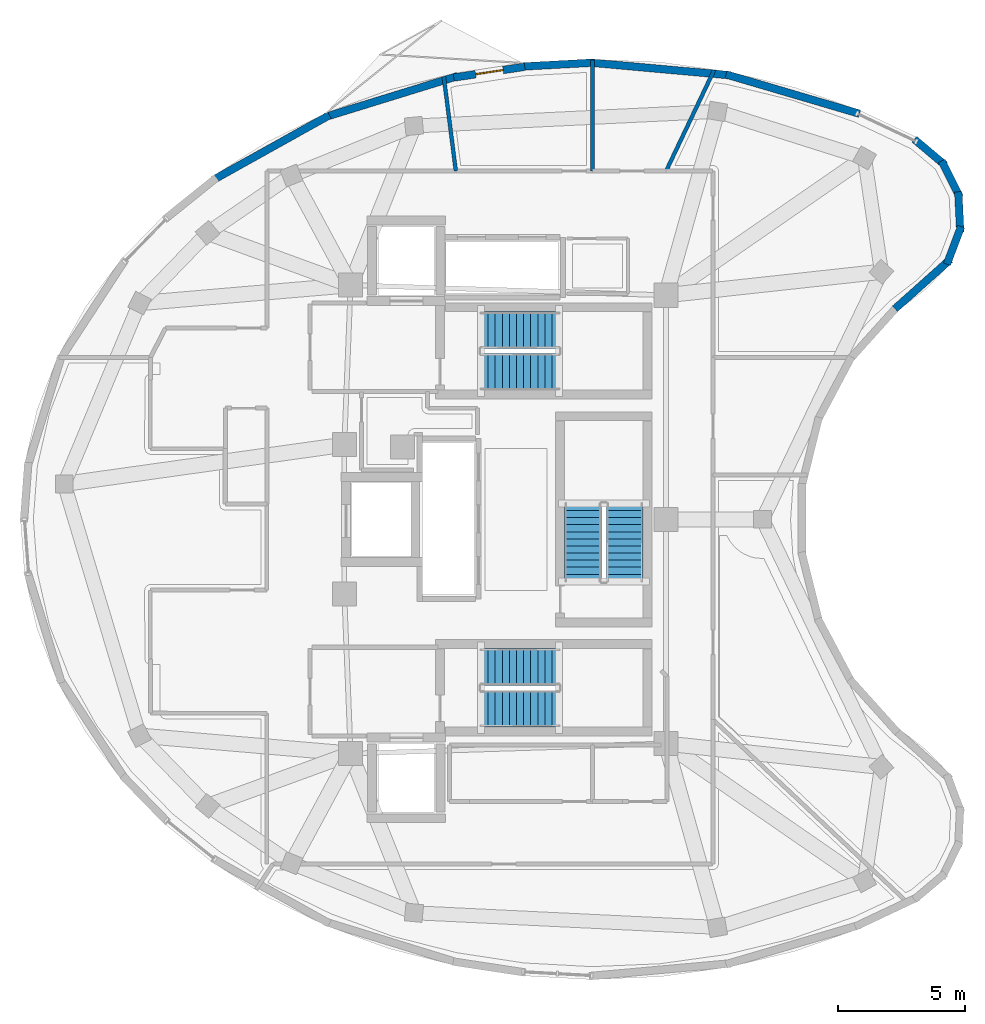
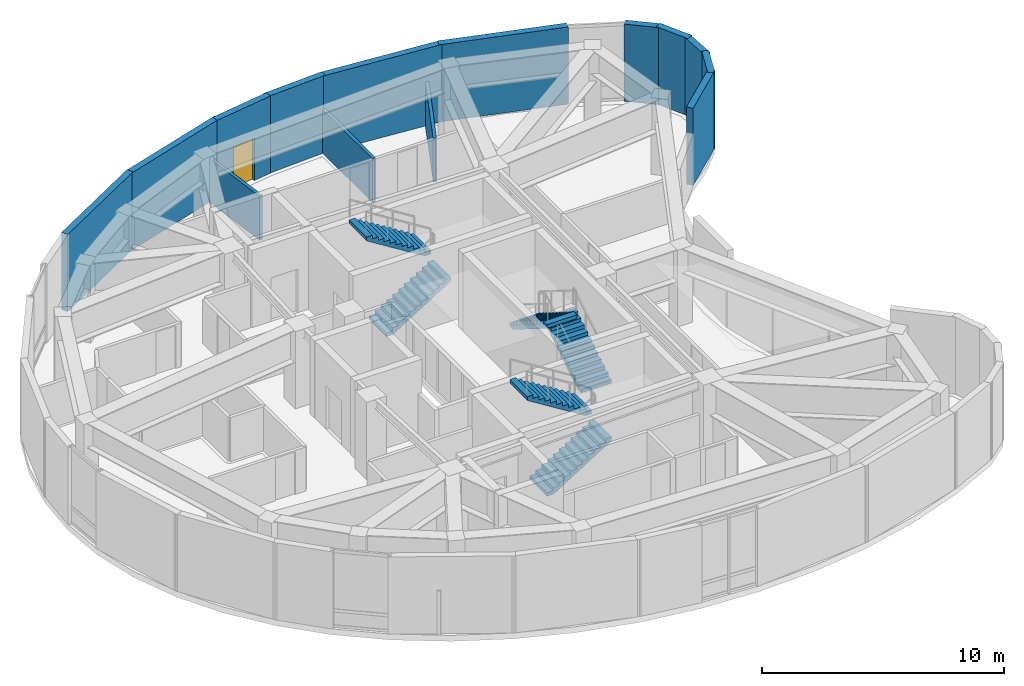
# One storey, part 6 of 8: 14 walls, 6 stair flights, 1 door, 1 opening, 3 elements without a shape of their own.
"""IFC4 building model written with IfcOpenShell, lengths in metres."""

import ifcopenshell
import ifcopenshell.guid

model = None  # the IFC model being written
_history = None  # IfcOwnerHistory: only IFC2X3 demands one
_inside = {}  # id of a spatial element -> (the spatial element, [elements in it])
_under = {}  # id of a project, library or spatial element -> (it, [spatial elements below it])
_declared = {}  # id of a project -> (the project, [libraries it declares])
_typed = {}  # id of a type object -> (the type object, [elements of that type])
_made_of = {}  # id of a material, layer set ... -> (it, [elements and type objects made of it])


def new_model(schema):
    """Start an empty IFC model of exactly this schema.

    Asked for "IFC4X3", IfcOpenShell would pick the latest addendum, in which some entities
    have other attributes; the version numbers below select the first issue.
    IFC2X3 requires an IfcOwnerHistory on every rooted entity: one is made here for all.
    """
    global model, _history
    if schema == "IFC4X3":
        model = ifcopenshell.file(schema_version=(4, 3, 0, 0))
    else:
        model = ifcopenshell.file(schema=schema)
    _inside.clear()
    _under.clear()
    _declared.clear()
    _typed.clear()
    _made_of.clear()
    _history = None
    if model.schema == "IFC2X3":
        org = make("IfcOrganization", Name="unknown")
        user = make(
            "IfcPersonAndOrganization",
            ThePerson=make("IfcPerson", FamilyName="unknown"),
            TheOrganization=org,
        )
        app = make(
            "IfcApplication",
            ApplicationDeveloper=org,
            Version="unknown",
            ApplicationFullName="unknown",
            ApplicationIdentifier="unknown",
        )
        _history = make(
            "IfcOwnerHistory",
            OwningUser=user,
            OwningApplication=app,
            ChangeAction="ADDED",
            CreationDate=0,
        )
    return model


def make(cls, **values):
    """One entity of the class cls with the attributes given. An attribute that is None is left unset."""
    return model.create_entity(
        cls, **{name: value for name, value in values.items() if value is not None}
    )


def rooted(cls, **values):
    """An entity with a GlobalId (a new one), such as an element, a storey or a relation."""
    return make(cls, GlobalId=ifcopenshell.guid.new(), OwnerHistory=_history, **values)


def si_unit(unit_type, name, prefix=None):
    """IfcSIUnit, for example si_unit("LENGTHUNIT", "METRE", prefix="MILLI")."""
    return make("IfcSIUnit", UnitType=unit_type, Prefix=prefix, Name=name)


def assignment(units):
    """IfcUnitAssignment: the units of a project."""
    return None if units is None else make("IfcUnitAssignment", Units=units)


def point(xyz):
    """IfcCartesianPoint."""
    return None if xyz is None else make("IfcCartesianPoint", Coordinates=xyz)


def direction(xyz):
    """IfcDirection."""
    return None if xyz is None else make("IfcDirection", DirectionRatios=xyz)


def frame(location, z_axis=None, x_axis=None):
    """IfcAxis2Placement3D, a coordinate frame: its origin and axes. An axis left out is left unset."""
    return make(
        "IfcAxis2Placement3D",
        Location=point(location),
        Axis=direction(z_axis),
        RefDirection=direction(x_axis),
    )


def frame_2d(location, x_axis=None):
    """IfcAxis2Placement2D, a coordinate frame in the plane: its origin and x axis."""
    return make(
        "IfcAxis2Placement2D", Location=point(location), RefDirection=direction(x_axis)
    )


def origin():
    """The frame at (0, 0, 0) with its axes left unset."""
    return frame((0.0, 0.0, 0.0))


def place(relative_to, where):
    """IfcLocalPlacement: puts the frame where relative to a parent placement (None: the world)."""
    return make(
        "IfcLocalPlacement", PlacementRelTo=relative_to, RelativePlacement=where
    )


def context(
    kind, dimensions, precision=None, world=None, true_north=None, identifier=None
):
    """IfcGeometricRepresentationContext, for example the 3D "Model" context."""
    return make(
        "IfcGeometricRepresentationContext",
        ContextIdentifier=identifier,
        ContextType=kind,
        CoordinateSpaceDimension=dimensions,
        Precision=precision,
        WorldCoordinateSystem=world,
        TrueNorth=true_north,
    )


def subcontext(parent, identifier, kind, view, scale=None):
    """IfcGeometricRepresentationSubContext, for example "Body" below "Model"."""
    return make(
        "IfcGeometricRepresentationSubContext",
        ContextIdentifier=identifier,
        ContextType=kind,
        ParentContext=parent,
        TargetScale=scale,
        TargetView=view,
    )


def project(units=None, contexts=None):
    """IfcProject with its units and contexts."""
    return rooted(
        "IfcProject",
        Name="project",
        RepresentationContexts=contexts,
        UnitsInContext=assignment(units),
    )


def spatial(cls, under=None, at=None, **own):
    """A site, building, storey or space (cls), placed at a placement, below another one or the project."""
    s = rooted(cls, ObjectPlacement=at, **own)
    if under is not None:
        _under.setdefault(under.id(), (under, []))[1].append(s)
    return s


def polyline(points):
    """IfcPolyline through the points."""
    return make("IfcPolyline", Points=[point(p) for p in points])


def profile(cls, at=None, kind="AREA", **sizes):
    """A parametric profile (cls). Its sizes go by their IFC names, for example OverallWidth=200.0."""
    return make(cls, ProfileType=kind, Position=at, **sizes)


def rectangle(**sizes):
    """IfcRectangleProfileDef."""
    return profile("IfcRectangleProfileDef", **sizes)


def outline(outer, holes=None, kind="AREA"):
    """IfcArbitraryClosedProfileDef: a profile drawn as a closed curve; with holes, ...WithVoids."""
    if holes is None:
        return make("IfcArbitraryClosedProfileDef", ProfileType=kind, OuterCurve=outer)
    return make(
        "IfcArbitraryProfileDefWithVoids",
        ProfileType=kind,
        OuterCurve=outer,
        InnerCurves=holes,
    )


def extrude(swept, where, along, depth):
    """IfcExtrudedAreaSolid: the profile swept, set in the frame where, extruded along a direction by depth."""
    return make(
        "IfcExtrudedAreaSolid",
        SweptArea=swept,
        Position=where,
        ExtrudedDirection=direction(along),
        Depth=depth,
    )


def shape(context_of_items, identifier, shape_type, items):
    """IfcShapeRepresentation: the items that make up one representation, for example the "Body"."""
    return make(
        "IfcShapeRepresentation",
        ContextOfItems=context_of_items,
        RepresentationIdentifier=identifier,
        RepresentationType=shape_type,
        Items=items,
    )


def material(Name=None, Category=None):
    """IfcMaterial."""
    return make("IfcMaterial", Name=Name, Category=Category)


def layer(
    of_material, thickness, ventilated=None, Name=None, Category=None, Priority=None
):
    """IfcMaterialLayer: one layer of a wall or slab, of a material (None: an air gap)."""
    return make(
        "IfcMaterialLayer",
        Material=of_material,
        LayerThickness=thickness,
        IsVentilated=ventilated,
        Name=Name,
        Category=Category,
        Priority=Priority,
    )


def layer_set(layers, Name=None):
    """IfcMaterialLayerSet."""
    return make("IfcMaterialLayerSet", MaterialLayers=layers, LayerSetName=Name)


def made_of(thing, what):
    """Note that an element or type object is made of a material, layer set ...; save() writes the relation."""
    if what is not None:
        _made_of.setdefault(what.id(), (what, []))[1].append(thing)
    return thing


def type_object(cls, material=None, **own):
    """A type object (cls), such as IfcWallType, which elements share."""
    return made_of(rooted(cls, **own), material)


def element(
    cls,
    number,
    at=None,
    inside=None,
    cuts=None,
    type_object=None,
    material=None,
    context=None,
    identifier="Body",
    shape_type=None,
    held_by="IfcProductDefinitionShape",
    body=None,
    shapes=None,
    **own,
):
    """One element of the class cls, such as IfcWall. Its Tag is "e" and its number.

    at: its placement. inside: the storey or other place that contains it. cuts: it is an
    opening in that element (IfcRelVoidsElement). A single representation is given by context,
    identifier, shape_type and body (its items); several are given by shapes. held_by: the class
    of the entity that holds the representations. save() writes the other relations.
    """
    e = rooted(cls, Tag="e%d" % number, ObjectPlacement=at, **own)
    if body is not None:
        shapes = [shape(context, identifier, shape_type, body)]
    if shapes is not None:
        e.Representation = make(held_by, Representations=shapes)
    if inside is not None:
        _inside.setdefault(inside.id(), (inside, []))[1].append(e)
    if cuts is not None:
        rooted(
            "IfcRelVoidsElement", RelatingBuildingElement=cuts, RelatedOpeningElement=e
        )
    if type_object is not None:
        _typed.setdefault(type_object.id(), (type_object, []))[1].append(e)
    return made_of(e, material)


def fill(opening, filler):
    """IfcRelFillsElement: the door or window that sits in an opening."""
    return rooted(
        "IfcRelFillsElement",
        RelatingOpeningElement=opening,
        RelatedBuildingElement=filler,
    )


def aggregate(whole, parts):
    """IfcRelAggregates: a whole, such as a stair, and the parts it consists of."""
    return rooted("IfcRelAggregates", RelatingObject=whole, RelatedObjects=parts)


def save(model, path):
    """Write the relations noted so far, then the file.

    IfcRelAggregates (storeys below a building ...), IfcRelContainedInSpatialStructure (elements
    in a storey), IfcRelDefinesByType, IfcRelAssociatesMaterial and IfcRelDeclares: one each for
    every whole, place, type object, material and project.
    """
    for whole, parts in _under.values():
        aggregate(whole, parts)
    for where, things in _inside.values():
        rooted(
            "IfcRelContainedInSpatialStructure",
            RelatedElements=things,
            RelatingStructure=where,
        )
    for kind, things in _typed.values():
        rooted("IfcRelDefinesByType", RelatedObjects=things, RelatingType=kind)
    for what, things in _made_of.values():
        rooted("IfcRelAssociatesMaterial", RelatedObjects=things, RelatingMaterial=what)
    for by, libraries in _declared.values():
        rooted("IfcRelDeclares", RelatingContext=by, RelatedDefinitions=libraries)
    model.write(path)


model = new_model("IFC4")

# Units and contexts
model_context = context("Model", 3, precision=1e-05, world=origin(), true_north=direction((0.0, 1.0)))
body_context = subcontext(model_context, "Body", "Model", "MODEL_VIEW")
ifc_project = project(units=[si_unit("LENGTHUNIT", "METRE"), si_unit("AREAUNIT", "SQUARE_METRE"), si_unit("VOLUMEUNIT", "CUBIC_METRE"), si_unit("PLANEANGLEUNIT", "RADIAN"), si_unit("MASSUNIT", "GRAM", prefix="KILO")], contexts=[model_context])

# Site, building, storey
site_placement = place(None, origin())
site = spatial("IfcSite", under=ifc_project, at=site_placement, CompositionType="ELEMENT")
building_placement = place(site_placement, origin())
building = spatial("IfcBuilding", under=site, at=building_placement, Name="Korentha Bioscience Tower", CompositionType="ELEMENT")
storey_placement = place(building_placement, frame((0.0, 0.0, 314.39990234375)))
storey = spatial("IfcBuildingStorey", under=building, at=storey_placement, Name="L72", CompositionType="ELEMENT", Elevation=314.39990234375)

# Walls
ifc_material_1 = material(Name="Double-Stud Acoustic Gypsum", Category="gypsum")
ifc_layer_1 = layer(ifc_material_1, 0.14990234375, Name="Double-Stud Acoustic Gypsum")
ifc_layer_set_1 = layer_set([ifc_layer_1], Name="Double-Stud Acoustic Gypsum (IW-L150)")
wall_type_1 = type_object("IfcWallType", Name="Acoustic Laboratory Partition Wall 150", PredefinedType="PARTITIONING", material=ifc_layer_set_1)
wall_1_placement = place(storey_placement, frame((37.560302734375, 40.760009765625, 0.0), z_axis=(0.0, 0.0, 1.0), x_axis=(0.429631904799, 0.90300411205, 0.0)))
element("IfcWall", 1, at=wall_1_placement, inside=storey, type_object=wall_type_1, Name="L72 Interior Partition 045", PredefinedType="PARTITIONING", context=body_context, shape_type="SweptSolid", body=[
    extrude(rectangle(XDim=4.398193359375, YDim=0.14990234375, at=frame_2d((2.19921875, 0.0))), origin(), (0.0, 0.0, 1.0), 2.22021484375),
])
wall_2_placement = place(storey_placement, frame((34.652099609375, 40.760009765625, 0.0), z_axis=(0.0, 0.0, 1.0), x_axis=(0.0, 1.0, 0.0)))
element("IfcWall", 2, at=wall_2_placement, inside=storey, type_object=wall_type_1, Name="L72 Interior Partition 046", PredefinedType="PARTITIONING", context=body_context, shape_type="SweptSolid", body=[
    extrude(rectangle(XDim=4.389892578125, YDim=0.14990234375, at=frame_2d((2.19482421875, 0.0))), origin(), (0.0, 0.0, 1.0), 2.22021484375),
])
wall_3_placement = place(storey_placement, frame((29.254638671875, 40.760009765625, 0.0), z_axis=(0.0, 0.0, 1.0), x_axis=(-0.126740854043, 0.991935862804, 0.0)))
element("IfcWall", 3, at=wall_3_placement, inside=storey, type_object=wall_type_1, Name="L72 Interior Partition 047", PredefinedType="PARTITIONING", context=body_context, shape_type="SweptSolid", body=[
    extrude(rectangle(XDim=3.75244140625, YDim=0.14990234375, at=frame_2d((1.876220703125, 0.0))), origin(), (0.0, 0.0, 1.0), 2.22021484375),
])

# Wall, opening, door
ifc_material_2 = material(Name="Honed Limestone Precast Concrete C40", Category="masonry")
ifc_layer_2 = layer(ifc_material_2, 0.300048828125, Name="Honed Limestone Precast Concrete C40")
ifc_layer_set_2 = layer_set([ifc_layer_2], Name="Honed Limestone Precast Concrete C40 (EW-ST300)")
wall_type_2 = type_object("IfcWallType", Name="Honed Limestone Cavity Spandrel Wall 300", PredefinedType="STANDARD", material=ifc_layer_set_2)
wall_4_placement = place(storey_placement, frame((31.979248046875, 44.874267578125, 0.0), z_axis=(0.0, 0.0, 1.0), x_axis=(-0.988616331056, -0.150458465925, 0.0)))
wall_4 = element("IfcWall", 4, at=wall_4_placement, inside=storey, type_object=wall_type_2, Name="L72 Balcony Threshold Wall 01", PredefinedType="STANDARD", context=body_context, shape_type="SweptSolid", body=[
    extrude(rectangle(XDim=2.834716796875, YDim=0.300048828125, at=frame_2d((1.41748046875, 0.0))), origin(), (0.0, 0.0, 1.0), 3.900146484375),
])
opening_placement = place(wall_4_placement, frame((0.867431640625, 0.0, 0.0)))
opening = element("IfcOpeningElement", 5, at=opening_placement, cuts=wall_4, Name="Opening BD-11L", PredefinedType="OPENING", context=body_context, shape_type="SweptSolid", body=[
    extrude(rectangle(XDim=1.10009765625, YDim=2.14990234375, at=frame_2d((0.550048828125, 1.074951171875))), frame((0.0, 0.1650390625, 0.0), z_axis=(0.0, -1.0, 0.0), x_axis=(1.0, 0.0, 0.0)), (0.0, 0.0, 1.0), 0.329833984375),
])
ifc_material_3 = material(Name="Thermally Broken Glazed Aluminium", Category="aluminium")
door_type = type_object("IfcDoorType", Name="Balcony Terrace Glazed Door 1100x2150 Left", OperationType="SINGLE_SWING_LEFT", PredefinedType="DOOR", material=ifc_material_3)
door_placement = place(opening_placement, origin())
door = element("IfcDoor", 6, at=door_placement, inside=storey, type_object=door_type, Name="L72 Balcony Access Door 01", OperationType="SINGLE_SWING_LEFT", OverallHeight=2.14990234375, OverallWidth=1.10009765625, PredefinedType="DOOR", context=body_context, shape_type="SweptSolid", body=[
    extrude(rectangle(XDim=1.10009765625, YDim=2.14990234375, at=frame_2d((0.550048828125, 1.074951171875))), frame((0.0, 0.02490234375, 0.0), z_axis=(0.0, -1.0, 0.0), x_axis=(1.0, 0.0, 0.0)), (0.0, 0.0, 1.0), 0.050048828125),
])
fill(opening, door)

# Walls
wall_5_placement = place(storey_placement, frame((45.19677734375, 43.018310546875, 0.0), z_axis=(0.0, 0.0, 1.0), x_axis=(-0.959276315934, 0.282469378321, 0.0)))
element("IfcWall", 7, at=wall_5_placement, inside=storey, type_object=wall_type_2, Name="L72 Limestone Perimeter Closure Wall 02", PredefinedType="STANDARD", context=body_context, shape_type="SweptSolid", body=[
    extrude(rectangle(XDim=5.495361328125, YDim=0.300048828125, at=frame_2d((2.74755859375, 0.0))), origin(), (0.0, 0.0, 1.0), 3.900146484375),
])
wall_6_placement = place(storey_placement, frame((40.108642578125, 44.53564453125, 0.0), z_axis=(0.0, 0.0, 1.0), x_axis=(-0.995950163058, 0.089907022552, 0.0)))
element("IfcWall", 8, at=wall_6_placement, inside=storey, type_object=wall_type_2, Name="L72 Limestone Perimeter Closure Wall 04", PredefinedType="STANDARD", context=body_context, shape_type="SweptSolid", body=[
    extrude(rectangle(XDim=5.60205078125, YDim=0.300048828125, at=frame_2d((2.801025390625, 0.0))), origin(), (0.0, 0.0, 1.0), 3.900146484375),
])
wall_7_placement = place(storey_placement, frame((34.708984375, 45.035888671875, 0.0), z_axis=(0.0, 0.0, 1.0), x_axis=(-0.998532534801, -0.054155119283, 0.0)))
element("IfcWall", 9, at=wall_7_placement, inside=storey, type_object=wall_type_2, Name="L72 Limestone Perimeter Closure Wall 06", PredefinedType="STANDARD", context=body_context, shape_type="SweptSolid", body=[
    extrude(rectangle(XDim=2.8896484375, YDim=0.300048828125, at=frame_2d((1.44482421875, 0.0))), origin(), (0.0, 0.0, 1.0), 3.900146484375),
])
wall_8_placement = place(storey_placement, frame((29.32958984375, 44.5048828125, 0.0), z_axis=(0.0, 0.0, 1.0), x_axis=(-0.955535200816, -0.29487705913, 0.0)))
element("IfcWall", 10, at=wall_8_placement, inside=storey, type_object=wall_type_2, Name="L72 Limestone Perimeter Closure Wall 08", PredefinedType="STANDARD", context=body_context, shape_type="SweptSolid", body=[
    extrude(rectangle(XDim=5.485107421875, YDim=0.300048828125, at=frame_2d((2.74267578125, 0.0))), origin(), (0.0, 0.0, 1.0), 3.900146484375),
])
wall_9_placement = place(storey_placement, frame((24.26171875, 42.961669921875, 0.0), z_axis=(0.0, 0.0, 1.0), x_axis=(-0.87350676692, -0.486812004932, 0.0)))
element("IfcWall", 11, at=wall_9_placement, inside=storey, type_object=wall_type_2, Name="L72 Limestone Perimeter Closure Wall 10", PredefinedType="STANDARD", context=body_context, shape_type="SweptSolid", body=[
    extrude(rectangle(XDim=5.281982421875, YDim=0.300048828125, at=frame_2d((2.64111328125, 0.0))), origin(), (0.0, 0.0, 1.0), 3.900146484375),
])
wall_10_placement = place(storey_placement, frame((46.595703125, 35.314208984375, 0.0), z_axis=(0.0, 0.0, 1.0), x_axis=(0.745805540728, 0.666163715178, 0.0)))
element("IfcWall", 12, at=wall_10_placement, inside=storey, type_object=wall_type_2, Name="L72 Limestone Perimeter Closure Wall 57", PredefinedType="STANDARD", context=body_context, shape_type="SweptSolid", body=[
    extrude(rectangle(XDim=2.91845703125, YDim=0.300048828125, at=frame_2d((1.459228515625, 0.0))), origin(), (0.0, 0.0, 1.0), 3.900146484375),
])
for number, where, z_axis, x_axis, name in (
    (13, (48.646484375, 37.075439453125, 0.0), (0.0, 0.0, 1.0), (0.353546976078, 0.935416771127, 0.0), "L72 Limestone Perimeter Closure Wall 59"),
    (14, (49.175048828125, 38.3505859375, 0.0), (0.0, 0.0, 1.0), (-0.04947778803, 0.998775224208, 0.0), "L72 Limestone Perimeter Closure Wall 60"),
    (15, (49.150390625, 39.730712890625, 0.0), (0.0, 0.0, 1.0), (-0.444199538262, 0.895927882258, 0.0), "L72 Limestone Perimeter Closure Wall 61"),
    (16, (48.576416015625, 40.986328125, 0.0), (0.0, 0.0, 1.0), (-0.764911198117, 0.644135745783, 0.0), "L72 Limestone Perimeter Closure Wall 62"),
):
    element("IfcWall", number, at=place(storey_placement, frame(where, z_axis=z_axis, x_axis=x_axis)), inside=storey, type_object=wall_type_2, Name=name, PredefinedType="STANDARD", context=body_context, shape_type="SweptSolid", body=[
        extrude(rectangle(XDim=1.5888671875, YDim=0.300048828125, at=frame_2d((0.79443359375, 0.0))), origin(), (0.0, 0.0, 1.0), 3.900146484375),
    ])

# Stair, stair flights
ifc_material_4 = material(Name="Precast Concrete C50", Category="concrete")
stair_type = type_object("IfcStairType", Name="Core Exit Dog-Leg Stair 1450", PredefinedType="HALF_TURN_STAIR", material=ifc_material_4)
stair_1_placement = place(storey_placement, origin())
stair_1 = element("IfcStair", 17, at=stair_1_placement, inside=storey, type_object=stair_type, Name="L72 Tower North Pressurized Exit Stair ST-1", PredefinedType="HALF_TURN_STAIR")
stair_flight_type = type_object("IfcStairFlightType", Name="Core Exit Dog-Leg Stair 1450 Flight", PredefinedType="STRAIGHT", material=ifc_material_4)
stair_flight_1_placement = place(storey_placement, frame((30.25, 32.824951171875, 0.0), z_axis=(0.0, 0.0, 1.0), x_axis=(1.0, 0.0, 0.0)))
stair_flight_1 = element("IfcStairFlight", 18, at=stair_flight_1_placement, type_object=stair_flight_type, Name="ST-1 flight 1", NumberOfRisers=12, NumberOfTreads=11, PredefinedType="STRAIGHT", RiserHeight=0.175, TreadLength=0.28, context=body_context, shape_type="SweptSolid", body=[
    extrude(outline(polyline([(0.0, 0.0), (0.0, 0.175048828125), (0.280029296875, 0.175048828125), (0.280029296875, 0.35009765625), (0.56005859375, 0.35009765625), (0.56005859375, 0.52490234375), (0.840087890625, 0.52490234375), (0.840087890625, 0.699951171875), (1.1201171875, 0.699951171875), (1.1201171875, 0.875), (1.39990234375, 0.875), (1.39990234375, 1.050048828125), (1.679931640625, 1.050048828125), (1.679931640625, 1.22509765625), (1.9599609375, 1.22509765625), (1.9599609375, 1.39990234375), (2.239990234375, 1.39990234375), (2.239990234375, 1.574951171875), (2.52001953125, 1.574951171875), (2.52001953125, 1.75), (2.800048828125, 1.75), (2.800048828125, 1.925048828125), (3.080078125, 1.925048828125), (3.080078125, 2.10009765625), (3.080078125, 1.736328125), (0.3017578125, 0.0), (0.0, 0.0)])), frame((0.0, 0.72509765625, 0.0), z_axis=(0.0, -1.0, 0.0), x_axis=(1.0, 0.0, 0.0)), (0.0, 0.0, 1.0), 1.449951171875),
])
stair_flight_2_placement = place(storey_placement, frame((33.330078125, 34.47509765625, 2.10009765625), z_axis=(0.0, 0.0, 1.0), x_axis=(-1.0, 0.0, 0.0)))
stair_flight_2 = element("IfcStairFlight", 19, at=stair_flight_2_placement, type_object=stair_flight_type, Name="ST-1 flight 2", NumberOfRisers=12, NumberOfTreads=11, PredefinedType="STRAIGHT", RiserHeight=0.175, TreadLength=0.28, context=body_context, shape_type="SweptSolid", body=[
    extrude(outline(polyline([(0.0, 0.0), (0.0, 0.175048828125), (0.280029296875, 0.175048828125), (0.280029296875, 0.35009765625), (0.56005859375, 0.35009765625), (0.56005859375, 0.52490234375), (0.840087890625, 0.52490234375), (0.840087890625, 0.699951171875), (1.1201171875, 0.699951171875), (1.1201171875, 0.875), (1.39990234375, 0.875), (1.39990234375, 1.050048828125), (1.679931640625, 1.050048828125), (1.679931640625, 1.22509765625), (1.9599609375, 1.22509765625), (1.9599609375, 1.39990234375), (2.239990234375, 1.39990234375), (2.239990234375, 1.574951171875), (2.52001953125, 1.574951171875), (2.52001953125, 1.75), (2.800048828125, 1.75), (2.800048828125, 1.925048828125), (3.080078125, 1.925048828125), (3.080078125, 2.10009765625), (3.080078125, 1.736328125), (0.3017578125, 0.0), (0.0, 0.0)])), frame((0.0, 0.72509765625, 0.0), z_axis=(0.0, -1.0, 0.0), x_axis=(1.0, 0.0, 0.0)), (0.0, 0.0, 1.0), 1.449951171875),
])
aggregate(stair_1, [stair_flight_1, stair_flight_2])

stair_2_placement = place(storey_placement, origin())
stair_2 = element("IfcStair", 20, at=stair_2_placement, inside=storey, type_object=stair_type, Name="L72 Tower South Pressurized Exit Stair ST-2", PredefinedType="HALF_TURN_STAIR")
stair_flight_3_placement = place(storey_placement, frame((30.25, 19.52490234375, 0.0), z_axis=(0.0, 0.0, 1.0), x_axis=(1.0, 0.0, 0.0)))
stair_flight_3 = element("IfcStairFlight", 21, at=stair_flight_3_placement, type_object=stair_flight_type, Name="ST-2 flight 1", NumberOfRisers=12, NumberOfTreads=11, PredefinedType="STRAIGHT", RiserHeight=0.175, TreadLength=0.28, context=body_context, shape_type="SweptSolid", body=[
    extrude(outline(polyline([(0.0, 0.0), (0.0, 0.175048828125), (0.280029296875, 0.175048828125), (0.280029296875, 0.35009765625), (0.56005859375, 0.35009765625), (0.56005859375, 0.52490234375), (0.840087890625, 0.52490234375), (0.840087890625, 0.699951171875), (1.1201171875, 0.699951171875), (1.1201171875, 0.875), (1.39990234375, 0.875), (1.39990234375, 1.050048828125), (1.679931640625, 1.050048828125), (1.679931640625, 1.22509765625), (1.9599609375, 1.22509765625), (1.9599609375, 1.39990234375), (2.239990234375, 1.39990234375), (2.239990234375, 1.574951171875), (2.52001953125, 1.574951171875), (2.52001953125, 1.75), (2.800048828125, 1.75), (2.800048828125, 1.925048828125), (3.080078125, 1.925048828125), (3.080078125, 2.10009765625), (3.080078125, 1.736328125), (0.3017578125, 0.0), (0.0, 0.0)])), frame((0.0, 0.72509765625, 0.0), z_axis=(0.0, -1.0, 0.0), x_axis=(1.0, 0.0, 0.0)), (0.0, 0.0, 1.0), 1.449951171875),
])
stair_flight_4_placement = place(storey_placement, frame((33.330078125, 21.175048828125, 2.10009765625), z_axis=(0.0, 0.0, 1.0), x_axis=(-1.0, 0.0, 0.0)))
stair_flight_4 = element("IfcStairFlight", 22, at=stair_flight_4_placement, type_object=stair_flight_type, Name="ST-2 flight 2", NumberOfRisers=12, NumberOfTreads=11, PredefinedType="STRAIGHT", RiserHeight=0.175, TreadLength=0.28, context=body_context, shape_type="SweptSolid", body=[
    extrude(outline(polyline([(0.0, 0.0), (0.0, 0.175048828125), (0.280029296875, 0.175048828125), (0.280029296875, 0.35009765625), (0.56005859375, 0.35009765625), (0.56005859375, 0.52490234375), (0.840087890625, 0.52490234375), (0.840087890625, 0.699951171875), (1.1201171875, 0.699951171875), (1.1201171875, 0.875), (1.39990234375, 0.875), (1.39990234375, 1.050048828125), (1.679931640625, 1.050048828125), (1.679931640625, 1.22509765625), (1.9599609375, 1.22509765625), (1.9599609375, 1.39990234375), (2.239990234375, 1.39990234375), (2.239990234375, 1.574951171875), (2.52001953125, 1.574951171875), (2.52001953125, 1.75), (2.800048828125, 1.75), (2.800048828125, 1.925048828125), (3.080078125, 1.925048828125), (3.080078125, 2.10009765625), (3.080078125, 1.736328125), (0.3017578125, 0.0), (0.0, 0.0)])), frame((0.0, 0.72509765625, 0.0), z_axis=(0.0, -1.0, 0.0), x_axis=(1.0, 0.0, 0.0)), (0.0, 0.0, 1.0), 1.449951171875),
])
aggregate(stair_2, [stair_flight_3, stair_flight_4])

stair_3_placement = place(storey_placement, origin())
stair_3 = element("IfcStair", 23, at=stair_3_placement, inside=storey, type_object=stair_type, Name="L72 Tower Central Pressurized Exit Stair ST-3", PredefinedType="HALF_TURN_STAIR")
stair_flight_5_placement = place(storey_placement, frame((35.925048828125, 24.550048828125, 0.0), z_axis=(0.0, 0.0, 1.0), x_axis=(0.0, 1.0, 0.0)))
stair_flight_5 = element("IfcStairFlight", 24, at=stair_flight_5_placement, type_object=stair_flight_type, Name="ST-3 flight 1", NumberOfRisers=12, NumberOfTreads=11, PredefinedType="STRAIGHT", RiserHeight=0.175, TreadLength=0.28, context=body_context, shape_type="SweptSolid", body=[
    extrude(outline(polyline([(0.0, 0.0), (0.0, 0.175048828125), (0.280029296875, 0.175048828125), (0.280029296875, 0.35009765625), (0.56005859375, 0.35009765625), (0.56005859375, 0.52490234375), (0.840087890625, 0.52490234375), (0.840087890625, 0.699951171875), (1.1201171875, 0.699951171875), (1.1201171875, 0.875), (1.39990234375, 0.875), (1.39990234375, 1.050048828125), (1.679931640625, 1.050048828125), (1.679931640625, 1.22509765625), (1.9599609375, 1.22509765625), (1.9599609375, 1.39990234375), (2.239990234375, 1.39990234375), (2.239990234375, 1.574951171875), (2.52001953125, 1.574951171875), (2.52001953125, 1.75), (2.800048828125, 1.75), (2.800048828125, 1.925048828125), (3.080078125, 1.925048828125), (3.080078125, 2.10009765625), (3.080078125, 1.736328125), (0.3017578125, 0.0), (0.0, 0.0)])), frame((0.0, 0.72509765625, 0.0), z_axis=(0.0, -1.0, 0.0), x_axis=(1.0, 0.0, 0.0)), (0.0, 0.0, 1.0), 1.449951171875),
])
stair_flight_6_placement = place(storey_placement, frame((34.27490234375, 27.6298828125, 2.10009765625), z_axis=(0.0, 0.0, 1.0), x_axis=(0.0, -1.0, 0.0)))
stair_flight_6 = element("IfcStairFlight", 25, at=stair_flight_6_placement, type_object=stair_flight_type, Name="ST-3 flight 2", NumberOfRisers=12, NumberOfTreads=11, PredefinedType="STRAIGHT", RiserHeight=0.175, TreadLength=0.28, context=body_context, shape_type="SweptSolid", body=[
    extrude(outline(polyline([(0.0, 0.0), (0.0, 0.175048828125), (0.280029296875, 0.175048828125), (0.280029296875, 0.35009765625), (0.56005859375, 0.35009765625), (0.56005859375, 0.52490234375), (0.840087890625, 0.52490234375), (0.840087890625, 0.699951171875), (1.1201171875, 0.699951171875), (1.1201171875, 0.875), (1.39990234375, 0.875), (1.39990234375, 1.050048828125), (1.679931640625, 1.050048828125), (1.679931640625, 1.22509765625), (1.9599609375, 1.22509765625), (1.9599609375, 1.39990234375), (2.239990234375, 1.39990234375), (2.239990234375, 1.574951171875), (2.52001953125, 1.574951171875), (2.52001953125, 1.75), (2.800048828125, 1.75), (2.800048828125, 1.925048828125), (3.080078125, 1.925048828125), (3.080078125, 2.10009765625), (3.080078125, 1.736328125), (0.3017578125, 0.0), (0.0, 0.0)])), frame((0.0, 0.72509765625, 0.0), z_axis=(0.0, -1.0, 0.0), x_axis=(1.0, 0.0, 0.0)), (0.0, 0.0, 1.0), 1.449951171875),
])
aggregate(stair_3, [stair_flight_5, stair_flight_6])

save(model, "model.ifc")
